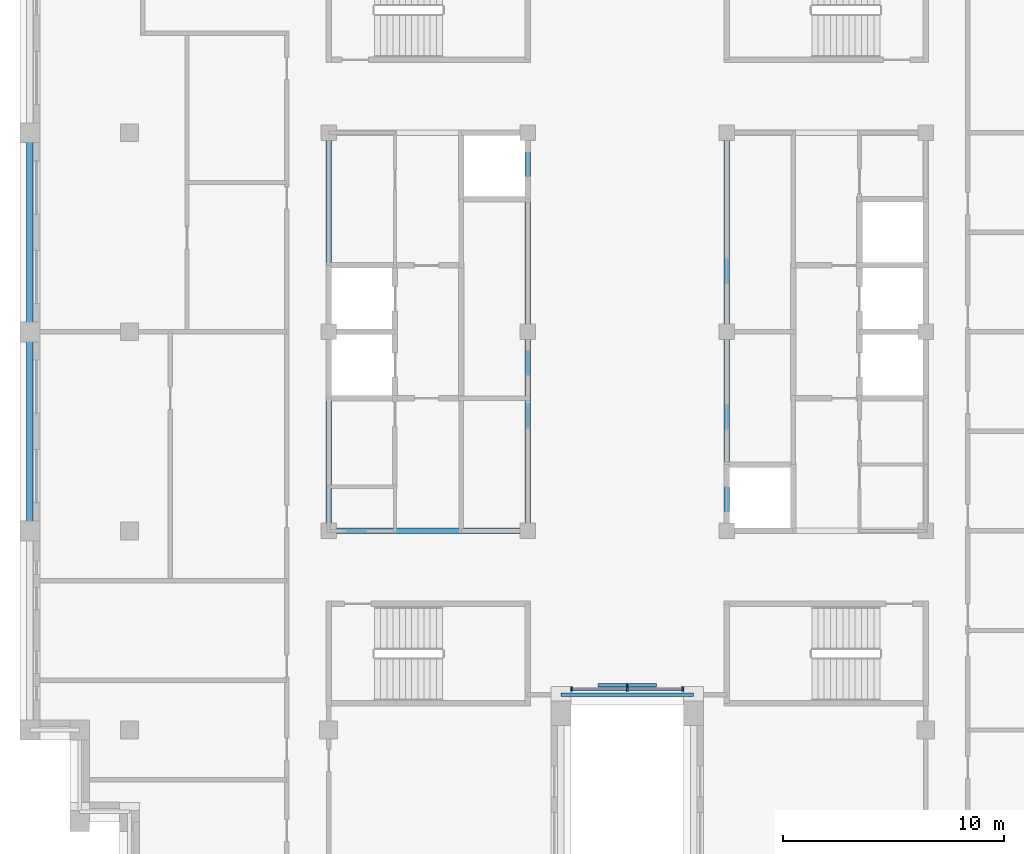
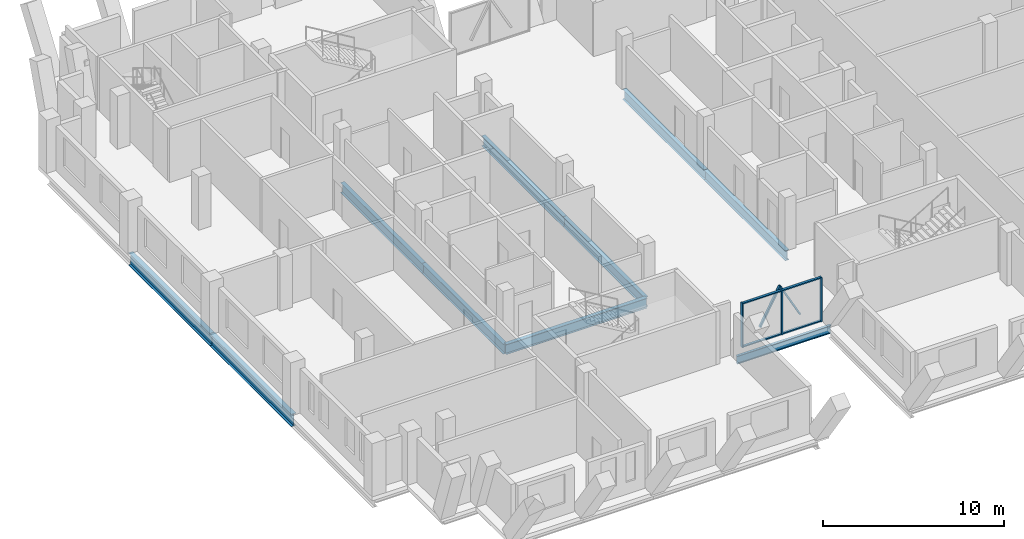
# One storey, part 2 of 13: 10 beams, 9 members, 1 element without a shape of its own.
"""IFC4 building model written with IfcOpenShell, lengths in metres."""

from ifc_helpers import new_model, si_unit, direction, frame, origin, origin_2d, place, context, subcontext, project, spatial, rectangle, i_section, extrude, material, layer, layer_set, material_profile, profile_set, type_object, element, aggregate, save


model = new_model("IFC4")

# Units and contexts
model_context = context("Model", 3, precision=1e-05, world=origin(), true_north=direction((0.0, 1.0)))
body_context = subcontext(model_context, "Body", "Model", "MODEL_VIEW")
ifc_project = project(units=[si_unit("LENGTHUNIT", "METRE"), si_unit("AREAUNIT", "SQUARE_METRE"), si_unit("VOLUMEUNIT", "CUBIC_METRE"), si_unit("PLANEANGLEUNIT", "RADIAN"), si_unit("MASSUNIT", "GRAM", prefix="KILO")], contexts=[model_context])

# Site, building, storey
site_placement = place(None, origin())
site = spatial("IfcSite", under=ifc_project, at=site_placement, CompositionType="ELEMENT")
building_placement = place(site_placement, origin())
building = spatial("IfcBuilding", under=site, at=building_placement, Name="Corbelhall Arena Tower", CompositionType="ELEMENT")
storey_placement = place(building_placement, frame((0.0, 0.0, 346.0)))
storey = spatial("IfcBuildingStorey", under=building, at=storey_placement, Name="L76", CompositionType="ELEMENT", Elevation=346.0)

# Curtain wall, members
ifc_material_1 = material(Name="Aluminium black anodised", Category="aluminium")
ifc_layer = layer(ifc_material_1, 0.199951171875)
ifc_layer_set = layer_set([ifc_layer], Name="EV-CW1 Slot back wall")
curtain_wall_type = type_object("IfcCurtainWallType", Name="EV-CW1 Slot back wall", PredefinedType="NOTDEFINED", material=ifc_layer_set)
curtain_wall_placement = place(storey_placement, origin())
curtain_wall = element("IfcCurtainWall", 1, at=curtain_wall_placement, inside=storey, type_object=curtain_wall_type, Name="Curtain wall CW1", PredefinedType="NOTDEFINED")
ifc_material_profile_1 = material_profile(ifc_material_1, rectangle(XDim=0.199951171875, YDim=0.074951171875, at=origin_2d()))
ifc_profile_set_1 = profile_set([ifc_material_profile_1], Name="Aluminium black anodised")
member_type_1 = type_object("IfcMemberType", Name="EV-CW1-MULLION", PredefinedType="MULLION", material=ifc_profile_set_1)
member_1_placement = place(storey_placement, frame((-2.512451171875, -16.14990234375, 0.0), z_axis=(0.0, 0.0, 1.0), x_axis=(0.0, 1.0, 0.0)))
member_1 = element("IfcMember", 2, at=member_1_placement, type_object=member_type_1, Name="CW1 mullion 1", PredefinedType="MULLION", context=body_context, shape_type="SweptSolid", body=[
    extrude(rectangle(XDim=0.199951171875, YDim=0.074951171875, at=origin_2d()), origin(), (0.0, 0.0, 1.0), 2.989990234375),
])
member_2_placement = place(storey_placement, frame((0.0, -16.14990234375, 0.0), z_axis=(0.0, 0.0, 1.0), x_axis=(0.0, 1.0, 0.0)))
member_2 = element("IfcMember", 3, at=member_2_placement, type_object=member_type_1, Name="CW1 mullion 2", PredefinedType="MULLION", context=body_context, shape_type="SweptSolid", body=[
    extrude(rectangle(XDim=0.199951171875, YDim=0.074951171875, at=origin_2d()), origin(), (0.0, 0.0, 1.0), 2.989990234375),
])
member_3_placement = place(storey_placement, frame((2.512451171875, -16.14990234375, 0.0), z_axis=(0.0, 0.0, 1.0), x_axis=(0.0, 1.0, 0.0)))
member_3 = element("IfcMember", 4, at=member_3_placement, type_object=member_type_1, Name="CW1 mullion 3", PredefinedType="MULLION", context=body_context, shape_type="SweptSolid", body=[
    extrude(rectangle(XDim=0.199951171875, YDim=0.074951171875, at=origin_2d()), origin(), (0.0, 0.0, 1.0), 2.989990234375),
])
ifc_material_profile_2 = material_profile(ifc_material_1, rectangle(XDim=0.14990234375, YDim=0.074951171875, at=origin_2d()))
ifc_profile_set_2 = profile_set([ifc_material_profile_2], Name="Aluminium black anodised")
member_type_2 = type_object("IfcMemberType", Name="EV-CW1-TRANSOM", PredefinedType="USERDEFINED", material=ifc_profile_set_2)
member_4_placement = place(storey_placement, frame((-2.47509765625, -16.14990234375, 0.03759765625), z_axis=(1.0, 0.0, 0.0), x_axis=(0.0, 1.0, 0.0)))
member_4 = element("IfcMember", 5, at=member_4_placement, type_object=member_type_2, Name="CW1 transom 1.1", ObjectType="transom", PredefinedType="USERDEFINED", context=body_context, shape_type="SweptSolid", body=[
    extrude(rectangle(XDim=0.14990234375, YDim=0.074951171875, at=origin_2d()), origin(), (0.0, 0.0, 1.0), 2.4375),
])
member_5_placement = place(storey_placement, frame((-2.47509765625, -16.14990234375, 2.952392578125), z_axis=(1.0, 0.0, 0.0), x_axis=(0.0, 1.0, 0.0)))
member_5 = element("IfcMember", 6, at=member_5_placement, type_object=member_type_2, Name="CW1 transom 1.2", ObjectType="transom", PredefinedType="USERDEFINED", context=body_context, shape_type="SweptSolid", body=[
    extrude(rectangle(XDim=0.14990234375, YDim=0.074951171875, at=origin_2d()), origin(), (0.0, 0.0, 1.0), 2.4375),
])
member_6_placement = place(storey_placement, frame((0.03759765625, -16.14990234375, 0.03759765625), z_axis=(1.0, 0.0, 0.0), x_axis=(0.0, 1.0, 0.0)))
member_6 = element("IfcMember", 7, at=member_6_placement, type_object=member_type_2, Name="CW1 transom 2.1", ObjectType="transom", PredefinedType="USERDEFINED", context=body_context, shape_type="SweptSolid", body=[
    extrude(rectangle(XDim=0.14990234375, YDim=0.074951171875, at=origin_2d()), origin(), (0.0, 0.0, 1.0), 2.4375),
])
member_7_placement = place(storey_placement, frame((0.03759765625, -16.14990234375, 2.952392578125), z_axis=(1.0, 0.0, 0.0), x_axis=(0.0, 1.0, 0.0)))
member_7 = element("IfcMember", 8, at=member_7_placement, type_object=member_type_2, Name="CW1 transom 2.2", ObjectType="transom", PredefinedType="USERDEFINED", context=body_context, shape_type="SweptSolid", body=[
    extrude(rectangle(XDim=0.14990234375, YDim=0.074951171875, at=origin_2d()), origin(), (0.0, 0.0, 1.0), 2.4375),
])
aggregate(curtain_wall, [member_1, member_2, member_3, member_4, member_5, member_6, member_7])

# Members
ifc_material_profile_3 = material_profile(ifc_material_1, rectangle(XDim=0.159912109375, YDim=0.10009765625, at=origin_2d()))
ifc_profile_set_3 = profile_set([ifc_material_profile_3], Name="Aluminium black anodised")
member_type_3 = type_object("IfcMemberType", Name="EV-TR1 Tracery bar", PredefinedType="USERDEFINED", material=ifc_profile_set_3)
for number, where, z_axis, x_axis, name in (
    (9, (-1.27490234375, -15.969970703125, 0.807373046875), (0.478030960994, 0.0, 0.878342985588), (0.0, 1.0, 0.0), "Tracery bar"),
    (10, (0.0, -15.969970703125, 3.14990234375), (0.478030960994, 0.0, -0.878342985588), (0.0, 1.0, 0.0), "Tracery bar"),
):
    element("IfcMember", number, at=place(storey_placement, frame(where, z_axis=z_axis, x_axis=x_axis)), inside=storey, type_object=member_type_3, Name=name, ObjectType="TRACERY", PredefinedType="USERDEFINED", context=body_context, shape_type="SweptSolid", body=[
        extrude(rectangle(XDim=0.159912109375, YDim=0.10009765625, at=origin_2d()), origin(), (0.0, 0.0, 1.0), 2.6669921875),
    ])

# Beams
ifc_material_2 = material(Name="Steel ASTM A992 Gr50", Category="steel")
ifc_material_profile_4 = material_profile(ifc_material_2, i_section(OverallWidth=0.25390625, OverallDepth=0.67822265625, WebThickness=0.01171875, FlangeThickness=0.016357421875, at=origin_2d()))
ifc_profile_set_4 = profile_set([ifc_material_profile_4], Name="Steel ASTM A992 Gr50")
beam_type_1 = type_object("IfcBeamType", Name="ST-BEAM-W27x84", PredefinedType="BEAM", material=ifc_profile_set_4)
for number, where, z_axis, x_axis, name in (
    (11, (-13.5, -9.0, -0.59912109375), (0.0, 1.0, 0.0), (-1.0, 0.0, 0.0), "Beam CEW 1"),
    (12, (-13.5, 0.0, -0.59912109375), (0.0, 1.0, 0.0), (-1.0, 0.0, 0.0), "Beam CEW 2"),
    (13, (-4.5, -9.0, -0.59912109375), (0.0, 1.0, 0.0), (-1.0, 0.0, 0.0), "Beam CEW 3"),
    (14, (-4.5, 0.0, -0.59912109375), (0.0, 1.0, 0.0), (-1.0, 0.0, 0.0), "Beam CEW 4"),
    (15, (-13.5, -9.0, -0.59912109375), (1.0, 0.0, 0.0), (0.0, 1.0, 0.0), "Beam CEW 5"),
    (16, (4.5, -9.0, -0.59912109375), (0.0, 1.0, 0.0), (-1.0, 0.0, 0.0), "Beam CEE 7"),
    (17, (4.5, 0.0, -0.59912109375), (0.0, 1.0, 0.0), (-1.0, 0.0, 0.0), "Beam CEE 8"),
):
    element("IfcBeam", number, at=place(storey_placement, frame(where, z_axis=z_axis, x_axis=x_axis)), inside=storey, type_object=beam_type_1, Name=name, PredefinedType="BEAM", context=body_context, shape_type="SweptSolid", body=[
        extrude(i_section(OverallWidth=0.25390625, OverallDepth=0.67822265625, WebThickness=0.01171875, FlangeThickness=0.016357421875, at=origin_2d()), origin(), (0.0, 0.0, 1.0), 9.0),
    ])
ifc_material_profile_5 = material_profile(ifc_material_2, i_section(OverallWidth=0.16650390625, OverallDepth=0.535888671875, WebThickness=0.01025390625, FlangeThickness=0.0166015625, at=origin_2d()))
ifc_profile_set_5 = profile_set([ifc_material_profile_5], Name="Steel ASTM A992 Gr50")
beam_type_2 = type_object("IfcBeamType", Name="ST-SPANDREL-W21x57", PredefinedType="SPANDREL", material=ifc_profile_set_5)
beam_placement = place(storey_placement, frame((3.0, -16.39990234375, -0.528076171875), z_axis=(-1.0, 0.0, 0.0), x_axis=(0.0, -1.0, 0.0)))
element("IfcBeam", 18, at=beam_placement, inside=storey, type_object=beam_type_2, Name="Beam SP 33", PredefinedType="SPANDREL", context=body_context, shape_type="SweptSolid", body=[
    extrude(i_section(OverallWidth=0.16650390625, OverallDepth=0.535888671875, WebThickness=0.01025390625, FlangeThickness=0.0166015625, at=origin_2d()), origin(), (0.0, 0.0, 1.0), 6.0),
])
ifc_material_profile_6 = material_profile(ifc_material_2, i_section(OverallWidth=0.2919921875, OverallDepth=0.845703125, WebThickness=0.015380859375, FlangeThickness=0.0244140625, at=origin_2d()))
ifc_profile_set_6 = profile_set([ifc_material_profile_6], Name="Steel ASTM A992 Gr50")
beam_type_3 = type_object("IfcBeamType", Name="ST-SPANDREL-W33x141", PredefinedType="SPANDREL", material=ifc_profile_set_6)
for number, where, z_axis, x_axis, name in (
    (19, (-27.0, 0.0, -0.682861328125), (0.0, 1.0, 0.0), (-1.0, 0.0, 0.0), "Beam SP 26"),
    (20, (-27.0, -9.0, -0.682861328125), (0.0, 1.0, 0.0), (-1.0, 0.0, 0.0), "Beam SP 29"),
):
    element("IfcBeam", number, at=place(storey_placement, frame(where, z_axis=z_axis, x_axis=x_axis)), inside=storey, type_object=beam_type_3, Name=name, PredefinedType="SPANDREL", context=body_context, shape_type="SweptSolid", body=[
        extrude(i_section(OverallWidth=0.2919921875, OverallDepth=0.845703125, WebThickness=0.015380859375, FlangeThickness=0.0244140625, at=origin_2d()), origin(), (0.0, 0.0, 1.0), 9.0),
    ])

save(model, "model.ifc")
